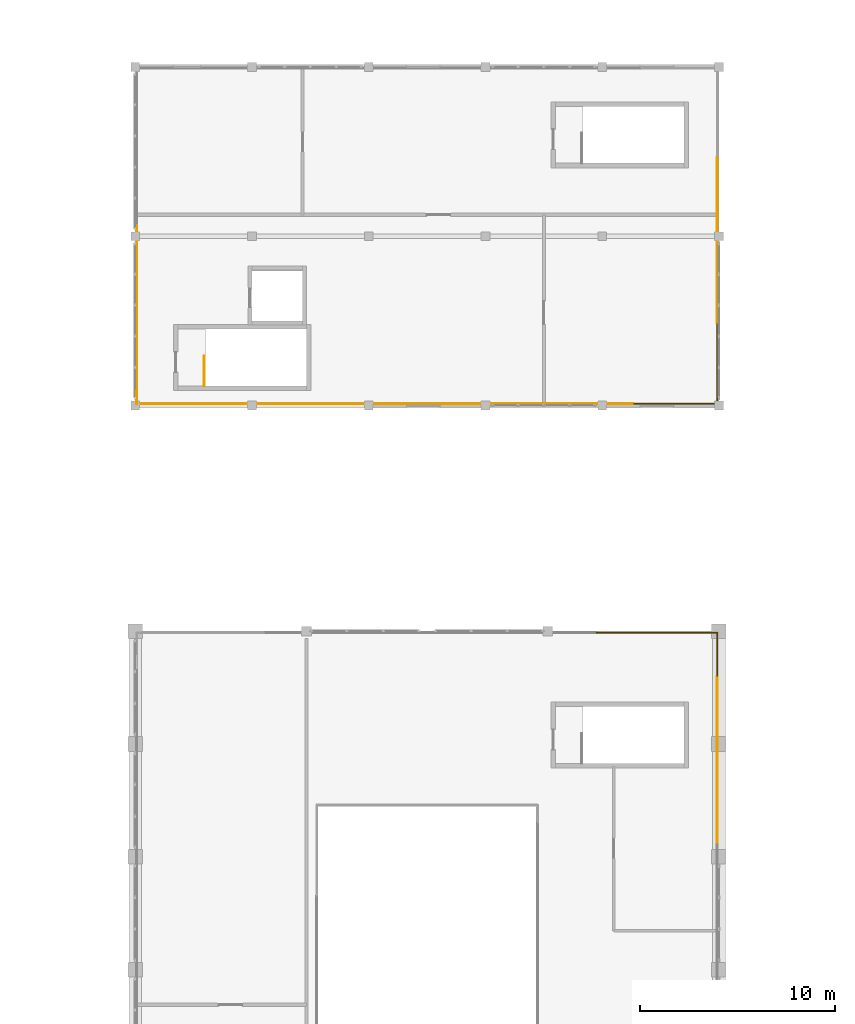
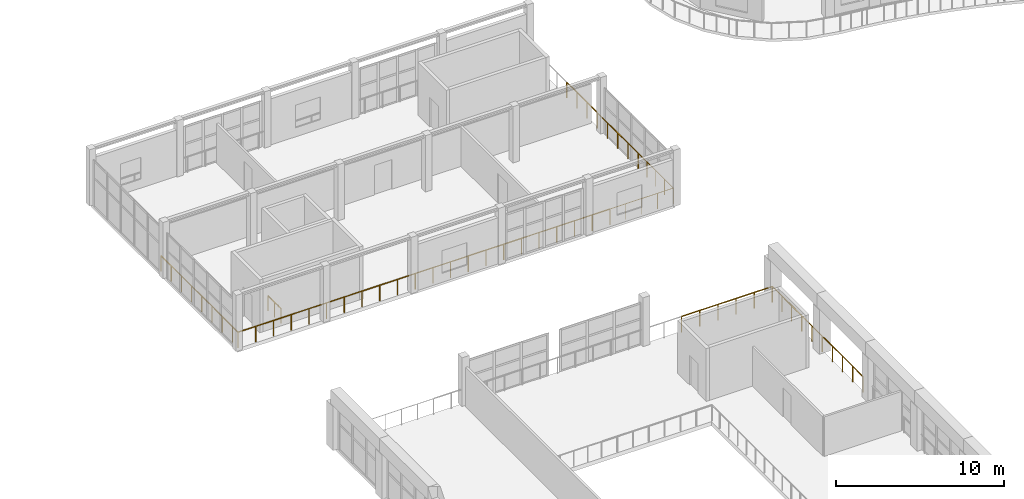
# One storey, part 118 of 128: 10 railings.
"""IFC4 building model written with IfcOpenShell, lengths in metres."""

import ifcopenshell
import ifcopenshell.guid

model = None  # the IFC model being written
_history = None  # IfcOwnerHistory: only IFC2X3 demands one
_inside = {}  # id of a spatial element -> (the spatial element, [elements in it])
_under = {}  # id of a project, library or spatial element -> (it, [spatial elements below it])
_declared = {}  # id of a project -> (the project, [libraries it declares])
_typed = {}  # id of a type object -> (the type object, [elements of that type])
_made_of = {}  # id of a material, layer set ... -> (it, [elements and type objects made of it])


def new_model(schema):
    """Start an empty IFC model of exactly this schema.

    Asked for "IFC4X3", IfcOpenShell would pick the latest addendum, in which some entities
    have other attributes; the version numbers below select the first issue.
    IFC2X3 requires an IfcOwnerHistory on every rooted entity: one is made here for all.
    """
    global model, _history
    if schema == "IFC4X3":
        model = ifcopenshell.file(schema_version=(4, 3, 0, 0))
    else:
        model = ifcopenshell.file(schema=schema)
    _inside.clear()
    _under.clear()
    _declared.clear()
    _typed.clear()
    _made_of.clear()
    _history = None
    if model.schema == "IFC2X3":
        org = make("IfcOrganization", Name="unknown")
        user = make(
            "IfcPersonAndOrganization",
            ThePerson=make("IfcPerson", FamilyName="unknown"),
            TheOrganization=org,
        )
        app = make(
            "IfcApplication",
            ApplicationDeveloper=org,
            Version="unknown",
            ApplicationFullName="unknown",
            ApplicationIdentifier="unknown",
        )
        _history = make(
            "IfcOwnerHistory",
            OwningUser=user,
            OwningApplication=app,
            ChangeAction="ADDED",
            CreationDate=0,
        )
    return model


def make(cls, **values):
    """One entity of the class cls with the attributes given. An attribute that is None is left unset."""
    return model.create_entity(
        cls, **{name: value for name, value in values.items() if value is not None}
    )


def rooted(cls, **values):
    """An entity with a GlobalId (a new one), such as an element, a storey or a relation."""
    return make(cls, GlobalId=ifcopenshell.guid.new(), OwnerHistory=_history, **values)


def si_unit(unit_type, name, prefix=None):
    """IfcSIUnit, for example si_unit("LENGTHUNIT", "METRE", prefix="MILLI")."""
    return make("IfcSIUnit", UnitType=unit_type, Prefix=prefix, Name=name)


def assignment(units):
    """IfcUnitAssignment: the units of a project."""
    return None if units is None else make("IfcUnitAssignment", Units=units)


def point(xyz):
    """IfcCartesianPoint."""
    return None if xyz is None else make("IfcCartesianPoint", Coordinates=xyz)


def direction(xyz):
    """IfcDirection."""
    return None if xyz is None else make("IfcDirection", DirectionRatios=xyz)


def frame(location, z_axis=None, x_axis=None):
    """IfcAxis2Placement3D, a coordinate frame: its origin and axes. An axis left out is left unset."""
    return make(
        "IfcAxis2Placement3D",
        Location=point(location),
        Axis=direction(z_axis),
        RefDirection=direction(x_axis),
    )


def frame_2d(location, x_axis=None):
    """IfcAxis2Placement2D, a coordinate frame in the plane: its origin and x axis."""
    return make(
        "IfcAxis2Placement2D", Location=point(location), RefDirection=direction(x_axis)
    )


def origin():
    """The frame at (0, 0, 0) with its axes left unset."""
    return frame((0.0, 0.0, 0.0))


def origin_2d():
    """The frame at (0, 0) in the plane with its x axis left unset."""
    return frame_2d((0.0, 0.0))


def place(relative_to, where):
    """IfcLocalPlacement: puts the frame where relative to a parent placement (None: the world)."""
    return make(
        "IfcLocalPlacement", PlacementRelTo=relative_to, RelativePlacement=where
    )


def context(
    kind, dimensions, precision=None, world=None, true_north=None, identifier=None
):
    """IfcGeometricRepresentationContext, for example the 3D "Model" context."""
    return make(
        "IfcGeometricRepresentationContext",
        ContextIdentifier=identifier,
        ContextType=kind,
        CoordinateSpaceDimension=dimensions,
        Precision=precision,
        WorldCoordinateSystem=world,
        TrueNorth=true_north,
    )


def subcontext(parent, identifier, kind, view, scale=None):
    """IfcGeometricRepresentationSubContext, for example "Body" below "Model"."""
    return make(
        "IfcGeometricRepresentationSubContext",
        ContextIdentifier=identifier,
        ContextType=kind,
        ParentContext=parent,
        TargetScale=scale,
        TargetView=view,
    )


def project(units=None, contexts=None):
    """IfcProject with its units and contexts."""
    return rooted(
        "IfcProject",
        Name="project",
        RepresentationContexts=contexts,
        UnitsInContext=assignment(units),
    )


def spatial(cls, under=None, at=None, **own):
    """A site, building, storey or space (cls), placed at a placement, below another one or the project."""
    s = rooted(cls, ObjectPlacement=at, **own)
    if under is not None:
        _under.setdefault(under.id(), (under, []))[1].append(s)
    return s


def profile(cls, at=None, kind="AREA", **sizes):
    """A parametric profile (cls). Its sizes go by their IFC names, for example OverallWidth=200.0."""
    return make(cls, ProfileType=kind, Position=at, **sizes)


def circle(**sizes):
    """IfcCircleProfileDef."""
    return profile("IfcCircleProfileDef", **sizes)


def extrude(swept, where, along, depth):
    """IfcExtrudedAreaSolid: the profile swept, set in the frame where, extruded along a direction by depth."""
    return make(
        "IfcExtrudedAreaSolid",
        SweptArea=swept,
        Position=where,
        ExtrudedDirection=direction(along),
        Depth=depth,
    )


def shape(context_of_items, identifier, shape_type, items):
    """IfcShapeRepresentation: the items that make up one representation, for example the "Body"."""
    return make(
        "IfcShapeRepresentation",
        ContextOfItems=context_of_items,
        RepresentationIdentifier=identifier,
        RepresentationType=shape_type,
        Items=items,
    )


def material(Name=None, Category=None):
    """IfcMaterial."""
    return make("IfcMaterial", Name=Name, Category=Category)


def made_of(thing, what):
    """Note that an element or type object is made of a material, layer set ...; save() writes the relation."""
    if what is not None:
        _made_of.setdefault(what.id(), (what, []))[1].append(thing)
    return thing


def type_object(cls, material=None, **own):
    """A type object (cls), such as IfcWallType, which elements share."""
    return made_of(rooted(cls, **own), material)


def element(
    cls,
    number,
    at=None,
    inside=None,
    cuts=None,
    type_object=None,
    material=None,
    context=None,
    identifier="Body",
    shape_type=None,
    held_by="IfcProductDefinitionShape",
    body=None,
    shapes=None,
    **own,
):
    """One element of the class cls, such as IfcWall. Its Tag is "e" and its number.

    at: its placement. inside: the storey or other place that contains it. cuts: it is an
    opening in that element (IfcRelVoidsElement). A single representation is given by context,
    identifier, shape_type and body (its items); several are given by shapes. held_by: the class
    of the entity that holds the representations. save() writes the other relations.
    """
    e = rooted(cls, Tag="e%d" % number, ObjectPlacement=at, **own)
    if body is not None:
        shapes = [shape(context, identifier, shape_type, body)]
    if shapes is not None:
        e.Representation = make(held_by, Representations=shapes)
    if inside is not None:
        _inside.setdefault(inside.id(), (inside, []))[1].append(e)
    if cuts is not None:
        rooted(
            "IfcRelVoidsElement", RelatingBuildingElement=cuts, RelatedOpeningElement=e
        )
    if type_object is not None:
        _typed.setdefault(type_object.id(), (type_object, []))[1].append(e)
    return made_of(e, material)


def aggregate(whole, parts):
    """IfcRelAggregates: a whole, such as a stair, and the parts it consists of."""
    return rooted("IfcRelAggregates", RelatingObject=whole, RelatedObjects=parts)


def save(model, path):
    """Write the relations noted so far, then the file.

    IfcRelAggregates (storeys below a building ...), IfcRelContainedInSpatialStructure (elements
    in a storey), IfcRelDefinesByType, IfcRelAssociatesMaterial and IfcRelDeclares: one each for
    every whole, place, type object, material and project.
    """
    for whole, parts in _under.values():
        aggregate(whole, parts)
    for where, things in _inside.values():
        rooted(
            "IfcRelContainedInSpatialStructure",
            RelatedElements=things,
            RelatingStructure=where,
        )
    for kind, things in _typed.values():
        rooted("IfcRelDefinesByType", RelatedObjects=things, RelatingType=kind)
    for what, things in _made_of.values():
        rooted("IfcRelAssociatesMaterial", RelatedObjects=things, RelatingMaterial=what)
    for by, libraries in _declared.values():
        rooted("IfcRelDeclares", RelatingContext=by, RelatedDefinitions=libraries)
    model.write(path)


model = new_model("IFC4")

# Units and contexts
model_context = context("Model", 3, precision=1e-05, world=origin(), true_north=direction((0.0, 1.0)))
body_context = subcontext(model_context, "Body", "Model", "MODEL_VIEW")
ifc_project = project(units=[si_unit("LENGTHUNIT", "METRE"), si_unit("AREAUNIT", "SQUARE_METRE"), si_unit("VOLUMEUNIT", "CUBIC_METRE"), si_unit("PLANEANGLEUNIT", "RADIAN"), si_unit("MASSUNIT", "GRAM", prefix="KILO")], contexts=[model_context])

# Site, building, storey
site_placement = place(None, origin())
site = spatial("IfcSite", under=ifc_project, at=site_placement, CompositionType="ELEMENT")
building_placement = place(site_placement, origin())
building = spatial("IfcBuilding", under=site, at=building_placement, Name="Tanwirah Colonnade Gardens", CompositionType="ELEMENT")
storey_placement = place(building_placement, frame((0.0, 0.0, 4.760009765625)))
storey = spatial("IfcBuildingStorey", under=building, at=storey_placement, Name="L01", CompositionType="ELEMENT", Elevation=4.760009765625)

# Railings
ifc_material_1 = material(Name="Bronze architectural steel and laminated glass balustrade", Category="steel")
railing_type_1 = type_object("IfcRailingType", Name="BAL-GAL115", PredefinedType="BALUSTRADE", material=ifc_material_1)
railing_1_placement = place(storey_placement, frame((107.919921875, 69.5400390625, 0.0)))
element("IfcRailing", 1, at=railing_1_placement, inside=storey, type_object=railing_type_1, Name="Community Hall L01 Perimeter Gallery Balustrade 8", PredefinedType="BALUSTRADE", context=body_context, shape_type="SweptSolid", body=[
    extrude(circle(Radius=0.02392578125, at=origin_2d()), frame((0.0, 0.03125, 1.1259765625), z_axis=(0.0, 1.0, 0.0), x_axis=(-1.0, 0.0, 0.0)), (0.0, 0.0, 1.0), 8.4375),
    extrude(circle(Radius=0.02099609375, at=origin_2d()), origin(), (0.0, 0.0, 1.0), 1.098876953125),
    extrude(circle(Radius=0.02099609375, at=origin_2d()), frame((0.0, 1.21435546875, 0.0)), (0.0, 0.0, 1.0), 1.098876953125),
    extrude(circle(Radius=0.02099609375, at=origin_2d()), frame((0.0, 2.428466796875, 0.0)), (0.0, 0.0, 1.0), 1.098876953125),
    extrude(circle(Radius=0.02099609375, at=origin_2d()), frame((0.0, 3.642822265625, 0.0)), (0.0, 0.0, 1.0), 1.098876953125),
    extrude(circle(Radius=0.02099609375, at=origin_2d()), frame((0.0, 4.857177734375, 0.0)), (0.0, 0.0, 1.0), 1.098876953125),
    extrude(circle(Radius=0.02099609375, at=origin_2d()), frame((0.0, 6.071533203125, 0.0)), (0.0, 0.0, 1.0), 1.098876953125),
    extrude(circle(Radius=0.02099609375, at=origin_2d()), frame((0.0, 7.28564453125, 0.0)), (0.0, 0.0, 1.0), 1.098876953125),
    extrude(circle(Radius=0.02099609375, at=origin_2d()), frame((0.0, 8.5, 0.0)), (0.0, 0.0, 1.0), 1.098876953125),
])
railing_2_placement = place(storey_placement, frame((107.919921875, 78.0400390625, 0.0)))
element("IfcRailing", 2, at=railing_2_placement, inside=storey, type_object=railing_type_1, Name="Community Hall L01 Perimeter Gallery Balustrade 9", PredefinedType="BALUSTRADE", context=body_context, shape_type="SweptSolid", body=[
    extrude(circle(Radius=0.02392578125, at=origin_2d()), frame((0.0, 0.03125, 1.1259765625), z_axis=(0.0, 1.0, 0.0), x_axis=(-1.0, 0.0, 0.0)), (0.0, 0.0, 1.0), 2.217529296875),
    extrude(circle(Radius=0.02392578125, at=origin_2d()), frame((-0.03125, 2.280029296875, 1.1259765625), z_axis=(-1.0, 0.0, 0.0), x_axis=(0.0, -1.0, 0.0)), (0.0, 0.0, 1.0), 6.157470703125),
    extrude(circle(Radius=0.02099609375, at=origin_2d()), origin(), (0.0, 0.0, 1.0), 1.098876953125),
    extrude(circle(Radius=0.02099609375, at=origin_2d()), frame((0.0, 1.14013671875, 0.0)), (0.0, 0.0, 1.0), 1.098876953125),
    extrude(circle(Radius=0.02099609375, at=origin_2d()), frame((0.0, 2.280029296875, 0.0)), (0.0, 0.0, 1.0), 1.098876953125),
    extrude(circle(Radius=0.02099609375, at=origin_2d()), frame((-1.243896484375, 2.280029296875, 0.0)), (0.0, 0.0, 1.0), 1.098876953125),
    extrude(circle(Radius=0.02099609375, at=origin_2d()), frame((-2.488037109375, 2.280029296875, 0.0)), (0.0, 0.0, 1.0), 1.098876953125),
    extrude(circle(Radius=0.02099609375, at=origin_2d()), frame((-3.73193359375, 2.280029296875, 0.0)), (0.0, 0.0, 1.0), 1.098876953125),
    extrude(circle(Radius=0.02099609375, at=origin_2d()), frame((-4.97607421875, 2.280029296875, 0.0)), (0.0, 0.0, 1.0), 1.098876953125),
    extrude(circle(Radius=0.02099609375, at=origin_2d()), frame((-6.219970703125, 2.280029296875, 0.0)), (0.0, 0.0, 1.0), 1.098876953125),
])
for number, where, name in (
    (3, (78.080078125, 92.080078125, 0.0), "Nursery Pavilion L01 Perimeter Balustrade 1"),
    (4, (86.580078125, 92.080078125, 0.0), "Nursery Pavilion L01 Perimeter Balustrade 2"),
    (5, (95.080078125, 92.080078125, 0.0), "Nursery Pavilion L01 Perimeter Balustrade 3"),
):
    element("IfcRailing", number, at=place(storey_placement, frame(where)), inside=storey, type_object=railing_type_1, Name=name, PredefinedType="BALUSTRADE", context=body_context, shape_type="SweptSolid", body=[
        extrude(circle(Radius=0.02392578125, at=origin_2d()), frame((0.03125, 0.0, 1.1259765625), z_axis=(1.0, 0.0, 0.0), x_axis=(0.0, 1.0, 0.0)), (0.0, 0.0, 1.0), 8.4375),
        extrude(circle(Radius=0.02099609375, at=origin_2d()), origin(), (0.0, 0.0, 1.0), 1.098876953125),
        extrude(circle(Radius=0.02099609375, at=origin_2d()), frame((1.21435546875, 0.0, 0.0)), (0.0, 0.0, 1.0), 1.098876953125),
        extrude(circle(Radius=0.02099609375, at=origin_2d()), frame((2.428466796875, 0.0, 0.0)), (0.0, 0.0, 1.0), 1.098876953125),
        extrude(circle(Radius=0.02099609375, at=origin_2d()), frame((3.642822265625, 0.0, 0.0)), (0.0, 0.0, 1.0), 1.098876953125),
        extrude(circle(Radius=0.02099609375, at=origin_2d()), frame((4.857177734375, 0.0, 0.0)), (0.0, 0.0, 1.0), 1.098876953125),
        extrude(circle(Radius=0.02099609375, at=origin_2d()), frame((6.071533203125, 0.0, 0.0)), (0.0, 0.0, 1.0), 1.098876953125),
        extrude(circle(Radius=0.02099609375, at=origin_2d()), frame((7.28564453125, 0.0, 0.0)), (0.0, 0.0, 1.0), 1.098876953125),
        extrude(circle(Radius=0.02099609375, at=origin_2d()), frame((8.5, 0.0, 0.0)), (0.0, 0.0, 1.0), 1.098876953125),
    ])
railing_3_placement = place(storey_placement, frame((103.580078125, 92.080078125, 0.0)))
element("IfcRailing", 6, at=railing_3_placement, inside=storey, type_object=railing_type_1, Name="Nursery Pavilion L01 Perimeter Balustrade 4", PredefinedType="BALUSTRADE", context=body_context, shape_type="SweptSolid", body=[
    extrude(circle(Radius=0.02392578125, at=origin_2d()), frame((0.03125, 0.0, 1.1259765625), z_axis=(1.0, 0.0, 0.0), x_axis=(0.0, 1.0, 0.0)), (0.0, 0.0, 1.0), 4.27734375),
    extrude(circle(Radius=0.02392578125, at=origin_2d()), frame((4.33984375, 0.03125, 1.1259765625), z_axis=(0.0, 1.0, 0.0), x_axis=(-1.0, 0.0, 0.0)), (0.0, 0.0, 1.0), 4.097412109375),
    extrude(circle(Radius=0.02099609375, at=origin_2d()), origin(), (0.0, 0.0, 1.0), 1.098876953125),
    extrude(circle(Radius=0.02099609375, at=origin_2d()), frame((1.0849609375, 0.0, 0.0)), (0.0, 0.0, 1.0), 1.098876953125),
    extrude(circle(Radius=0.02099609375, at=origin_2d()), frame((2.169921875, 0.0, 0.0)), (0.0, 0.0, 1.0), 1.098876953125),
    extrude(circle(Radius=0.02099609375, at=origin_2d()), frame((3.2548828125, 0.0, 0.0)), (0.0, 0.0, 1.0), 1.098876953125),
    extrude(circle(Radius=0.02099609375, at=origin_2d()), frame((4.33984375, 0.0, 0.0)), (0.0, 0.0, 1.0), 1.098876953125),
    extrude(circle(Radius=0.02099609375, at=origin_2d()), frame((4.33984375, 1.0400390625, 0.0)), (0.0, 0.0, 1.0), 1.098876953125),
    extrude(circle(Radius=0.02099609375, at=origin_2d()), frame((4.33984375, 2.080078125, 0.0)), (0.0, 0.0, 1.0), 1.098876953125),
    extrude(circle(Radius=0.02099609375, at=origin_2d()), frame((4.33984375, 3.119873046875, 0.0)), (0.0, 0.0, 1.0), 1.098876953125),
    extrude(circle(Radius=0.02099609375, at=origin_2d()), frame((4.33984375, 4.159912109375, 0.0)), (0.0, 0.0, 1.0), 1.098876953125),
])
railing_4_placement = place(storey_placement, frame((107.919921875, 96.239990234375, 0.0)))
element("IfcRailing", 7, at=railing_4_placement, inside=storey, type_object=railing_type_1, Name="Nursery Pavilion L01 Perimeter Balustrade 5", PredefinedType="BALUSTRADE", context=body_context, shape_type="SweptSolid", body=[
    extrude(circle(Radius=0.02392578125, at=origin_2d()), frame((0.0, 0.03125, 1.1259765625), z_axis=(0.0, 1.0, 0.0), x_axis=(-1.0, 0.0, 0.0)), (0.0, 0.0, 1.0), 8.4375),
    extrude(circle(Radius=0.02099609375, at=origin_2d()), origin(), (0.0, 0.0, 1.0), 1.098876953125),
    extrude(circle(Radius=0.02099609375, at=origin_2d()), frame((0.0, 1.21435546875, 0.0)), (0.0, 0.0, 1.0), 1.098876953125),
    extrude(circle(Radius=0.02099609375, at=origin_2d()), frame((0.0, 2.428466796875, 0.0)), (0.0, 0.0, 1.0), 1.098876953125),
    extrude(circle(Radius=0.02099609375, at=origin_2d()), frame((0.0, 3.642822265625, 0.0)), (0.0, 0.0, 1.0), 1.098876953125),
    extrude(circle(Radius=0.02099609375, at=origin_2d()), frame((0.0, 4.857177734375, 0.0)), (0.0, 0.0, 1.0), 1.098876953125),
    extrude(circle(Radius=0.02099609375, at=origin_2d()), frame((0.0, 6.071533203125, 0.0)), (0.0, 0.0, 1.0), 1.098876953125),
    extrude(circle(Radius=0.02099609375, at=origin_2d()), frame((0.0, 7.28564453125, 0.0)), (0.0, 0.0, 1.0), 1.098876953125),
    extrude(circle(Radius=0.02099609375, at=origin_2d()), frame((0.0, 8.5, 0.0)), (0.0, 0.0, 1.0), 1.098876953125),
])
railing_5_placement = place(storey_placement, frame((78.080078125, 101.239990234375, 0.0)))
element("IfcRailing", 8, at=railing_5_placement, inside=storey, type_object=railing_type_1, Name="Nursery Pavilion L01 Perimeter Balustrade 11", PredefinedType="BALUSTRADE", context=body_context, shape_type="SweptSolid", body=[
    extrude(circle(Radius=0.02392578125, at=origin_2d()), frame((0.0, -0.03125, 1.1259765625), z_axis=(0.0, -1.0, 0.0), x_axis=(1.0, 0.0, 0.0)), (0.0, 0.0, 1.0), 8.4375),
    extrude(circle(Radius=0.02099609375, at=origin_2d()), origin(), (0.0, 0.0, 1.0), 1.098876953125),
    extrude(circle(Radius=0.02099609375, at=origin_2d()), frame((0.0, -1.21435546875, 0.0)), (0.0, 0.0, 1.0), 1.098876953125),
    extrude(circle(Radius=0.02099609375, at=origin_2d()), frame((0.0, -2.428466796875, 0.0)), (0.0, 0.0, 1.0), 1.098876953125),
    extrude(circle(Radius=0.02099609375, at=origin_2d()), frame((0.0, -3.642822265625, 0.0)), (0.0, 0.0, 1.0), 1.098876953125),
    extrude(circle(Radius=0.02099609375, at=origin_2d()), frame((0.0, -4.857177734375, 0.0)), (0.0, 0.0, 1.0), 1.098876953125),
    extrude(circle(Radius=0.02099609375, at=origin_2d()), frame((0.0, -6.071533203125, 0.0)), (0.0, 0.0, 1.0), 1.098876953125),
    extrude(circle(Radius=0.02099609375, at=origin_2d()), frame((0.0, -7.28564453125, 0.0)), (0.0, 0.0, 1.0), 1.098876953125),
    extrude(circle(Radius=0.02099609375, at=origin_2d()), frame((0.0, -8.5, 0.0)), (0.0, 0.0, 1.0), 1.098876953125),
])
railing_6_placement = place(storey_placement, frame((78.080078125, 92.739990234375, 0.0)))
element("IfcRailing", 9, at=railing_6_placement, inside=storey, type_object=railing_type_1, Name="Nursery Pavilion L01 Perimeter Balustrade 12", PredefinedType="BALUSTRADE", context=body_context, shape_type="SweptSolid", body=[
    extrude(circle(Radius=0.02392578125, at=origin_2d()), frame((0.0, -0.03125, 1.1259765625), z_axis=(0.0, -1.0, 0.0), x_axis=(1.0, 0.0, 0.0)), (0.0, 0.0, 1.0), 0.597412109375),
    extrude(circle(Radius=0.02099609375, at=origin_2d()), origin(), (0.0, 0.0, 1.0), 1.098876953125),
    extrude(circle(Radius=0.02099609375, at=origin_2d()), frame((0.0, -0.659912109375, 0.0)), (0.0, 0.0, 1.0), 1.098876953125),
])
ifc_material_2 = material(Name="Powder-coated galvanized steel", Category="steel")
railing_type_2 = type_object("IfcRailingType", Name="GRD-ST110", PredefinedType="GUARDRAIL", material=ifc_material_2)
railing_7_placement = place(storey_placement, frame((81.550048828125, 93.0, 0.0)))
element("IfcRailing", 10, at=railing_7_placement, inside=storey, type_object=railing_type_2, Name="L01 ST-N1 top well guard 1", PredefinedType="GUARDRAIL", context=body_context, shape_type="SweptSolid", body=[
    extrude(circle(Radius=0.02392578125, at=origin_2d()), frame((0.0, 0.03125, 1.076171875), z_axis=(0.0, 1.0, 0.0), x_axis=(-1.0, 0.0, 0.0)), (0.0, 0.0, 1.0), 1.4775390625),
    extrude(circle(Radius=0.02099609375, at=origin_2d()), origin(), (0.0, 0.0, 1.0), 1.049072265625),
    extrude(circle(Radius=0.02099609375, at=origin_2d()), frame((0.0, 0.77001953125, 0.0)), (0.0, 0.0, 1.0), 1.049072265625),
    extrude(circle(Radius=0.02099609375, at=origin_2d()), frame((0.0, 1.5400390625, 0.0)), (0.0, 0.0, 1.0), 1.049072265625),
])

save(model, "model.ifc")
